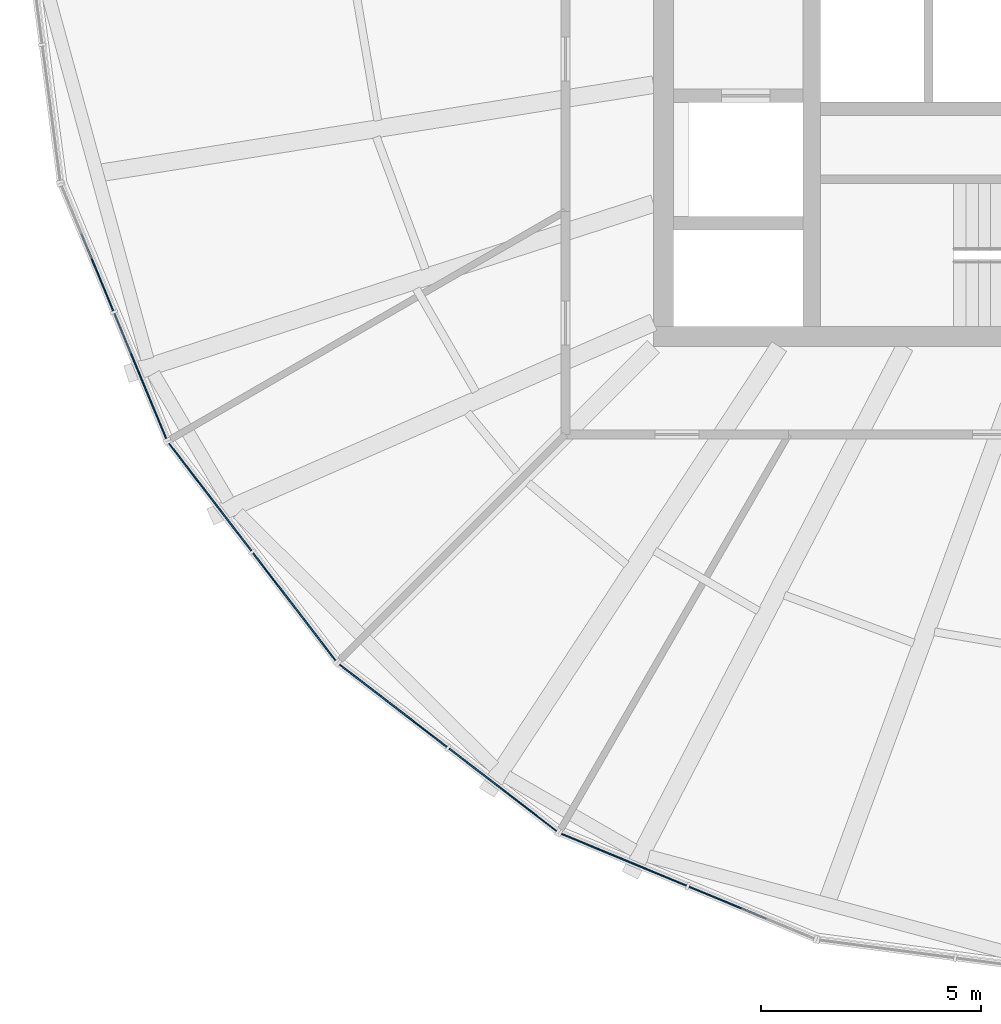
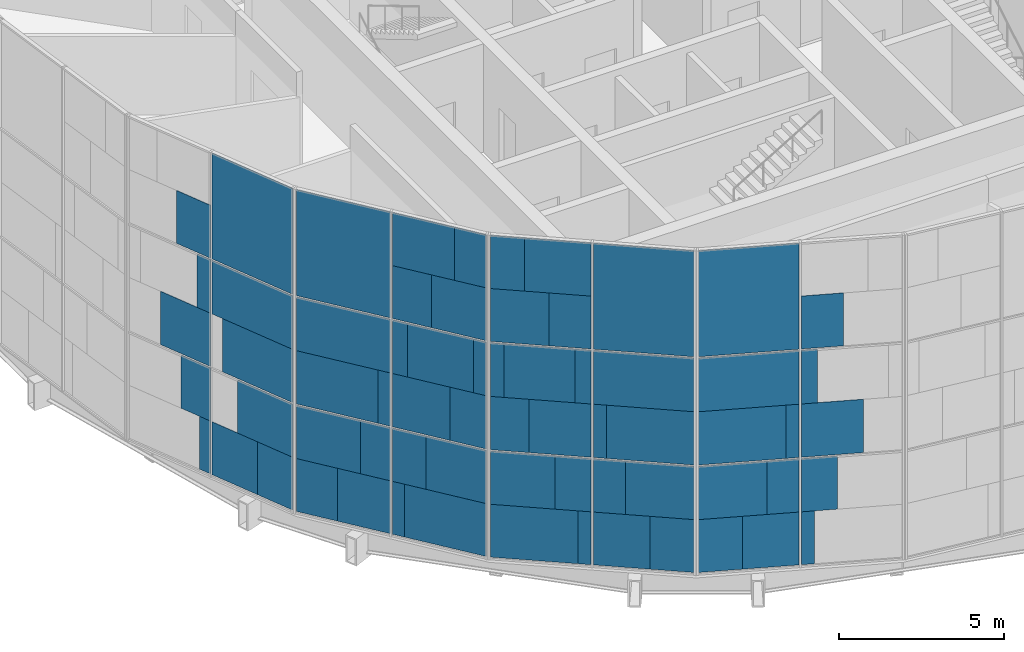
# One storey, part 9 of 22: 66 plates, 4 elements without a shape of their own.
"""IFC4 building model written with IfcOpenShell, lengths in metres."""

from ifc_helpers import new_model, si_unit, direction, frame, origin, origin_2d, place, context, subcontext, project, spatial, rectangle, extrude, material, layer, layer_set, type_object, element, aggregate, save


model = new_model("IFC4")

# Units and contexts
model_context = context("Model", 3, precision=1e-05, world=origin(), true_north=direction((0.0, 1.0)))
body_context = subcontext(model_context, "Body", "Model", "MODEL_VIEW")
ifc_project = project(units=[si_unit("LENGTHUNIT", "METRE"), si_unit("AREAUNIT", "SQUARE_METRE"), si_unit("VOLUMEUNIT", "CUBIC_METRE"), si_unit("PLANEANGLEUNIT", "RADIAN"), si_unit("MASSUNIT", "GRAM", prefix="KILO")], contexts=[model_context])

# Site, building, storey
site_placement = place(None, origin())
site = spatial("IfcSite", under=ifc_project, at=site_placement, CompositionType="ELEMENT")
building_placement = place(site_placement, origin())
building = spatial("IfcBuilding", under=site, at=building_placement, Name="Golbaran Civic Tower", CompositionType="ELEMENT")
storey_placement = place(building_placement, frame((0.0, 0.0, 155.0)))
storey = spatial("IfcBuildingStorey", under=building, at=storey_placement, Name="L37", CompositionType="ELEMENT", Elevation=155.0)

# Curtain wall, plates
ifc_material_1 = material(Name="Aluminium and glass", Category="aluminium")
curtain_wall_type = type_object("IfcCurtainWallType", Name="INNER SKIN CURTAIN WALL", PredefinedType="NOTDEFINED", material=ifc_material_1)
curtain_wall_1_placement = place(storey_placement, origin())
curtain_wall_1 = element("IfcCurtainWall", 1, at=curtain_wall_1_placement, inside=storey, type_object=curtain_wall_type, Name="Inner skin L37 facet 14 CW1", ObjectType="INNER SKIN", PredefinedType="USERDEFINED")
ifc_material_2 = material(Name="Clear insulating glass", Category="glass")
ifc_layer_1 = layer(ifc_material_2, 0.031982421875, Name="Clear insulating glass")
ifc_layer_set_1 = layer_set([ifc_layer_1], Name="Clear insulating glass")
plate_type_1 = type_object("IfcPlateType", Name="INNER SKIN CURTAIN WALL GLAZED PANEL", PredefinedType="CURTAIN_PANEL", material=ifc_layer_set_1)
plate_1_placement = place(storey_placement, frame((-22.367431640625, -8.9609375, 6.0), z_axis=(0.0, 0.0, 1.0), x_axis=(0.382683432268, -0.923879532551, 0.0)))
plate_1 = element("IfcPlate", 2, at=plate_1_placement, type_object=plate_type_1, Name="CW1 panel 1.2 part 5", PredefinedType="CURTAIN_PANEL", context=body_context, shape_type="SweptSolid", body=[
    extrude(rectangle(XDim=0.49658203125, YDim=0.031982421875, at=origin_2d()), origin(), (0.0, 0.0, 1.0), 1.967529296875),
])
plate_2_placement = place(storey_placement, frame((-22.517578125, -8.598388671875, 8.032470703125), z_axis=(0.0, 0.0, 1.0), x_axis=(0.382683432268, -0.923879532551, 0.0)))
plate_2 = element("IfcPlate", 3, at=plate_2_placement, type_object=plate_type_1, Name="CW1 panel 1.3 part 2", PredefinedType="CURTAIN_PANEL", context=body_context, shape_type="SweptSolid", body=[
    extrude(rectangle(XDim=1.281494140625, YDim=0.031982421875, at=origin_2d()), origin(), (0.0, 0.0, 1.0), 1.951171875),
])
plate_3_placement = place(storey_placement, frame((-21.328369140625, -11.4697265625, 0.06494140625), z_axis=(0.0, 0.0, 1.0), x_axis=(0.382683432268, -0.923879532551, 0.0)))
plate_3 = element("IfcPlate", 4, at=plate_3_placement, type_object=plate_type_1, Name="CW1 panel 2.1 part 2", PredefinedType="CURTAIN_PANEL", context=body_context, shape_type="SweptSolid", body=[
    extrude(rectangle(XDim=1.344482421875, YDim=0.031982421875, at=origin_2d()), origin(), (0.0, 0.0, 1.0), 1.951171875),
])
plate_4_placement = place(storey_placement, frame((-21.47265625, -11.12158203125, 2.016357421875), z_axis=(0.0, 0.0, 1.0), x_axis=(0.382683432268, -0.923879532551, 0.0)))
plate_4 = element("IfcPlate", 5, at=plate_4_placement, type_object=plate_type_1, Name="CW1 panel 2.1 part 4", PredefinedType="CURTAIN_PANEL", context=body_context, shape_type="SweptSolid", body=[
    extrude(rectangle(XDim=2.0986328125, YDim=0.031982421875, at=origin_2d()), origin(), (0.0, 0.0, 1.0), 1.951171875),
])
plate_5_placement = place(storey_placement, frame((-21.582763671875, -10.85546875, 4.03271484375), z_axis=(0.0, 0.0, 1.0), x_axis=(0.382683432268, -0.923879532551, 0.0)))
plate_5 = element("IfcPlate", 6, at=plate_5_placement, type_object=plate_type_1, Name="CW1 panel 2.2 part 2", PredefinedType="CURTAIN_PANEL", context=body_context, shape_type="SweptSolid", body=[
    extrude(rectangle(XDim=2.674560546875, YDim=0.031982421875, at=origin_2d()), origin(), (0.0, 0.0, 1.0), 1.967529296875),
])
plate_6_placement = place(storey_placement, frame((-21.659423828125, -10.670654296875, 6.0), z_axis=(0.0, 0.0, 1.0), x_axis=(0.382683432268, -0.923879532551, 0.0)))
plate_6 = element("IfcPlate", 7, at=plate_6_placement, type_object=plate_type_1, Name="CW1 panel 2.2 part 3", PredefinedType="CURTAIN_PANEL", context=body_context, shape_type="SweptSolid", body=[
    extrude(rectangle(XDim=3.074462890625, YDim=0.031982421875, at=origin_2d()), origin(), (0.0, 0.0, 1.0), 1.967529296875),
])
plate_7_placement = place(storey_placement, frame((-21.659423828125, -10.670654296875, 8.0322265625), z_axis=(0.0, 0.0, 1.0), x_axis=(0.382683432268, -0.923879532551, 0.0)))
plate_7 = element("IfcPlate", 8, at=plate_7_placement, type_object=plate_type_1, Name="CW1 panel 2.3", PredefinedType="CURTAIN_PANEL", context=body_context, shape_type="SweptSolid", body=[
    extrude(rectangle(XDim=3.074462890625, YDim=0.031982421875, at=origin_2d()), origin(), (0.0, 0.0, 1.0), 3.902587890625),
])

curtain_wall_2_placement = place(storey_placement, origin())
curtain_wall_2 = element("IfcCurtainWall", 9, at=curtain_wall_2_placement, inside=storey, type_object=curtain_wall_type, Name="Inner skin L37 facet 15 CW1", ObjectType="INNER SKIN", PredefinedType="USERDEFINED")
plate_8_placement = place(storey_placement, frame((-20.59716796875, -12.736083984375, 0.06494140625), z_axis=(0.0, 0.0, 1.0), x_axis=(0.608761429106, -0.793353340217, 0.0)))
plate_8 = element("IfcPlate", 10, at=plate_8_placement, type_object=plate_type_1, Name="CW1 panel 1.1 part 1", PredefinedType="CURTAIN_PANEL", context=body_context, shape_type="SweptSolid", body=[
    extrude(rectangle(XDim=1.344970703125, YDim=0.031982421875, at=origin_2d()), origin(), (0.0, 0.0, 1.0), 1.951171875),
])
plate_9_placement = place(storey_placement, frame((-20.367919921875, -13.034912109375, 2.016357421875), z_axis=(0.0, 0.0, 1.0), x_axis=(0.608761429106, -0.793353340217, 0.0)))
plate_9 = element("IfcPlate", 11, at=plate_9_placement, type_object=plate_type_1, Name="CW1 panel 1.1 part 3", PredefinedType="CURTAIN_PANEL", context=body_context, shape_type="SweptSolid", body=[
    extrude(rectangle(XDim=2.097900390625, YDim=0.031982421875, at=origin_2d()), origin(), (0.0, 0.0, 1.0), 1.951171875),
])
plate_10_placement = place(storey_placement, frame((-20.19287109375, -13.262939453125, 4.03271484375), z_axis=(0.0, 0.0, 1.0), x_axis=(0.608761429106, -0.793353340217, 0.0)))
plate_10 = element("IfcPlate", 12, at=plate_10_placement, type_object=plate_type_1, Name="CW1 panel 1.2 part 1", PredefinedType="CURTAIN_PANEL", context=body_context, shape_type="SweptSolid", body=[
    extrude(rectangle(XDim=2.673095703125, YDim=0.031982421875, at=origin_2d()), origin(), (0.0, 0.0, 1.0), 1.967529296875),
])
plate_11_placement = place(storey_placement, frame((-20.07080078125, -13.422119140625, 6.0), z_axis=(0.0, 0.0, 1.0), x_axis=(0.608761429106, -0.793353340217, 0.0)))
plate_11 = element("IfcPlate", 13, at=plate_11_placement, type_object=plate_type_1, Name="CW1 panel 1.2 part 3", PredefinedType="CURTAIN_PANEL", context=body_context, shape_type="SweptSolid", body=[
    extrude(rectangle(XDim=3.074462890625, YDim=0.031982421875, at=origin_2d()), origin(), (0.0, 0.0, 1.0), 1.967529296875),
])
plate_12_placement = place(storey_placement, frame((-20.07080078125, -13.422119140625, 8.0322265625), z_axis=(0.0, 0.0, 1.0), x_axis=(0.608761429106, -0.793353340217, 0.0)))
plate_12 = element("IfcPlate", 14, at=plate_12_placement, type_object=plate_type_1, Name="CW1 panel 1.3", PredefinedType="CURTAIN_PANEL", context=body_context, shape_type="SweptSolid", body=[
    extrude(rectangle(XDim=3.074462890625, YDim=0.031982421875, at=origin_2d()), origin(), (0.0, 0.0, 1.0), 3.902587890625),
])
plate_13_placement = place(storey_placement, frame((-18.037353515625, -16.072021484375, 0.06494140625), z_axis=(0.0, 0.0, 1.0), x_axis=(0.608761429106, -0.793353340217, 0.0)))
plate_13 = element("IfcPlate", 15, at=plate_13_placement, type_object=plate_type_1, Name="CW1 panel 2.1 part 2", PredefinedType="CURTAIN_PANEL", context=body_context, shape_type="SweptSolid", body=[
    extrude(rectangle(XDim=2.673583984375, YDim=0.031982421875, at=origin_2d()), origin(), (0.0, 0.0, 1.0), 1.951171875),
])
plate_14_placement = place(storey_placement, frame((-17.821533203125, -16.353271484375, 2.016357421875), z_axis=(0.0, 0.0, 1.0), x_axis=(0.608761429106, -0.793353340217, 0.0)))
plate_14 = element("IfcPlate", 16, at=plate_14_placement, type_object=plate_type_1, Name="CW1 panel 2.1 part 4", PredefinedType="CURTAIN_PANEL", context=body_context, shape_type="SweptSolid", body=[
    extrude(rectangle(XDim=1.964599609375, YDim=0.031982421875, at=origin_2d()), origin(), (0.0, 0.0, 1.0), 1.951171875),
])
plate_15_placement = place(storey_placement, frame((-17.582763671875, -16.66455078125, 4.03271484375), z_axis=(0.0, 0.0, 1.0), x_axis=(0.608761429106, -0.793353340217, 0.0)))
plate_15 = element("IfcPlate", 17, at=plate_15_placement, type_object=plate_type_1, Name="CW1 panel 2.2 part 2", PredefinedType="CURTAIN_PANEL", context=body_context, shape_type="SweptSolid", body=[
    extrude(rectangle(XDim=1.179443359375, YDim=0.031982421875, at=origin_2d()), origin(), (0.0, 0.0, 1.0), 1.967529296875),
])
plate_16_placement = place(storey_placement, frame((-18.944091796875, -14.890380859375, 6.0), z_axis=(0.0, 0.0, 1.0), x_axis=(0.608761429106, -0.793353340217, 0.0)))
plate_16 = element("IfcPlate", 18, at=plate_16_placement, type_object=plate_type_1, Name="CW1 panel 2.2 part 3", PredefinedType="CURTAIN_PANEL", context=body_context, shape_type="SweptSolid", body=[
    extrude(rectangle(XDim=0.4970703125, YDim=0.031982421875, at=origin_2d()), origin(), (0.0, 0.0, 1.0), 1.967529296875),
])
plate_17_placement = place(storey_placement, frame((-17.351318359375, -16.966064453125, 6.0), z_axis=(0.0, 0.0, 1.0), x_axis=(0.608761429106, -0.793353340217, 0.0)))
plate_17 = element("IfcPlate", 19, at=plate_17_placement, type_object=plate_type_1, Name="CW1 panel 2.2 part 5", PredefinedType="CURTAIN_PANEL", context=body_context, shape_type="SweptSolid", body=[
    extrude(rectangle(XDim=0.41943359375, YDim=0.031982421875, at=origin_2d()), origin(), (0.0, 0.0, 1.0), 1.967529296875),
])
plate_18_placement = place(storey_placement, frame((-18.705078125, -15.201904296875, 8.032470703125), z_axis=(0.0, 0.0, 1.0), x_axis=(0.608761429106, -0.793353340217, 0.0)))
plate_18 = element("IfcPlate", 20, at=plate_18_placement, type_object=plate_type_1, Name="CW1 panel 2.3 part 1", PredefinedType="CURTAIN_PANEL", context=body_context, shape_type="SweptSolid", body=[
    extrude(rectangle(XDim=1.281982421875, YDim=0.031982421875, at=origin_2d()), origin(), (0.0, 0.0, 1.0), 1.951171875),
])
plate_19_placement = place(storey_placement, frame((-18.475830078125, -15.50048828125, 9.98388671875), z_axis=(0.0, 0.0, 1.0), x_axis=(0.608761429106, -0.793353340217, 0.0)))
plate_19 = element("IfcPlate", 21, at=plate_19_placement, type_object=plate_type_1, Name="CW1 panel 2.3 part 3", PredefinedType="CURTAIN_PANEL", context=body_context, shape_type="SweptSolid", body=[
    extrude(rectangle(XDim=2.034912109375, YDim=0.031982421875, at=origin_2d()), origin(), (0.0, 0.0, 1.0), 1.951171875),
])

curtain_wall_3_placement = place(storey_placement, origin())
curtain_wall_3 = element("IfcCurtainWall", 22, at=curtain_wall_3_placement, inside=storey, type_object=curtain_wall_type, Name="Inner skin L37 facet 16 CW1", ObjectType="INNER SKIN", PredefinedType="USERDEFINED")
plate_20_placement = place(storey_placement, frame((-16.072265625, -18.037353515625, 0.06494140625), z_axis=(0.0, 0.0, 1.0), x_axis=(0.793353340217, -0.608761429106, 0.0)))
plate_20 = element("IfcPlate", 23, at=plate_20_placement, type_object=plate_type_1, Name="CW1 panel 1.1 part 1", PredefinedType="CURTAIN_PANEL", context=body_context, shape_type="SweptSolid", body=[
    extrude(rectangle(XDim=2.673095703125, YDim=0.031982421875, at=origin_2d()), origin(), (0.0, 0.0, 1.0), 1.951171875),
])
plate_21_placement = place(storey_placement, frame((-16.353515625, -17.821533203125, 2.016357421875), z_axis=(0.0, 0.0, 1.0), x_axis=(0.793353340217, -0.608761429106, 0.0)))
plate_21 = element("IfcPlate", 24, at=plate_21_placement, type_object=plate_type_1, Name="CW1 panel 1.1 part 3", PredefinedType="CURTAIN_PANEL", context=body_context, shape_type="SweptSolid", body=[
    extrude(rectangle(XDim=1.964111328125, YDim=0.031982421875, at=origin_2d()), origin(), (0.0, 0.0, 1.0), 1.951171875),
])
plate_22_placement = place(storey_placement, frame((-16.66455078125, -17.582763671875, 4.03271484375), z_axis=(0.0, 0.0, 1.0), x_axis=(0.793353340217, -0.608761429106, 0.0)))
plate_22 = element("IfcPlate", 25, at=plate_22_placement, type_object=plate_type_1, Name="CW1 panel 1.2 part 1", PredefinedType="CURTAIN_PANEL", context=body_context, shape_type="SweptSolid", body=[
    extrude(rectangle(XDim=1.179931640625, YDim=0.031982421875, at=origin_2d()), origin(), (0.0, 0.0, 1.0), 1.967529296875),
])
plate_23_placement = place(storey_placement, frame((-16.9658203125, -17.3515625, 6.0), z_axis=(0.0, 0.0, 1.0), x_axis=(0.793353340217, -0.608761429106, 0.0)))
plate_23 = element("IfcPlate", 26, at=plate_23_placement, type_object=plate_type_1, Name="CW1 panel 1.2 part 3", PredefinedType="CURTAIN_PANEL", context=body_context, shape_type="SweptSolid", body=[
    extrude(rectangle(XDim=0.419921875, YDim=0.031982421875, at=origin_2d()), origin(), (0.0, 0.0, 1.0), 1.967529296875),
])
plate_24_placement = place(storey_placement, frame((-14.890380859375, -18.944091796875, 6.0), z_axis=(0.0, 0.0, 1.0), x_axis=(0.793353340217, -0.608761429106, 0.0)))
plate_24 = element("IfcPlate", 27, at=plate_24_placement, type_object=plate_type_1, Name="CW1 panel 1.2 part 5", PredefinedType="CURTAIN_PANEL", context=body_context, shape_type="SweptSolid", body=[
    extrude(rectangle(XDim=0.49658203125, YDim=0.031982421875, at=origin_2d()), origin(), (0.0, 0.0, 1.0), 1.967529296875),
])
plate_25_placement = place(storey_placement, frame((-15.20166015625, -18.705322265625, 8.032470703125), z_axis=(0.0, 0.0, 1.0), x_axis=(0.793353340217, -0.608761429106, 0.0)))
plate_25 = element("IfcPlate", 28, at=plate_25_placement, type_object=plate_type_1, Name="CW1 panel 1.3 part 2", PredefinedType="CURTAIN_PANEL", context=body_context, shape_type="SweptSolid", body=[
    extrude(rectangle(XDim=1.281494140625, YDim=0.031982421875, at=origin_2d()), origin(), (0.0, 0.0, 1.0), 1.951171875),
])
plate_26_placement = place(storey_placement, frame((-15.500732421875, -18.475830078125, 9.98388671875), z_axis=(0.0, 0.0, 1.0), x_axis=(0.793353340217, -0.608761429106, 0.0)))
plate_26 = element("IfcPlate", 29, at=plate_26_placement, type_object=plate_type_1, Name="CW1 panel 1.3 part 4", PredefinedType="CURTAIN_PANEL", context=body_context, shape_type="SweptSolid", body=[
    extrude(rectangle(XDim=2.03564453125, YDim=0.031982421875, at=origin_2d()), origin(), (0.0, 0.0, 1.0), 1.951171875),
])
plate_27_placement = place(storey_placement, frame((-12.73583984375, -20.597412109375, 0.06494140625), z_axis=(0.0, 0.0, 1.0), x_axis=(0.793353340217, -0.608761429106, 0.0)))
plate_27 = element("IfcPlate", 30, at=plate_27_placement, type_object=plate_type_1, Name="CW1 panel 2.1 part 2", PredefinedType="CURTAIN_PANEL", context=body_context, shape_type="SweptSolid", body=[
    extrude(rectangle(XDim=1.344482421875, YDim=0.031982421875, at=origin_2d()), origin(), (0.0, 0.0, 1.0), 1.951171875),
])
plate_28_placement = place(storey_placement, frame((-13.034912109375, -20.367919921875, 2.016357421875), z_axis=(0.0, 0.0, 1.0), x_axis=(0.793353340217, -0.608761429106, 0.0)))
plate_28 = element("IfcPlate", 31, at=plate_28_placement, type_object=plate_type_1, Name="CW1 panel 2.1 part 4", PredefinedType="CURTAIN_PANEL", context=body_context, shape_type="SweptSolid", body=[
    extrude(rectangle(XDim=2.0986328125, YDim=0.031982421875, at=origin_2d()), origin(), (0.0, 0.0, 1.0), 1.951171875),
])
plate_29_placement = place(storey_placement, frame((-13.263427734375, -20.1923828125, 4.03271484375), z_axis=(0.0, 0.0, 1.0), x_axis=(0.793353340217, -0.608761429106, 0.0)))
plate_29 = element("IfcPlate", 32, at=plate_29_placement, type_object=plate_type_1, Name="CW1 panel 2.2 part 2", PredefinedType="CURTAIN_PANEL", context=body_context, shape_type="SweptSolid", body=[
    extrude(rectangle(XDim=2.674560546875, YDim=0.031982421875, at=origin_2d()), origin(), (0.0, 0.0, 1.0), 1.967529296875),
])
plate_30_placement = place(storey_placement, frame((-13.422119140625, -20.07080078125, 6.0), z_axis=(0.0, 0.0, 1.0), x_axis=(0.793353340217, -0.608761429106, 0.0)))
plate_30 = element("IfcPlate", 33, at=plate_30_placement, type_object=plate_type_1, Name="CW1 panel 2.2 part 3", PredefinedType="CURTAIN_PANEL", context=body_context, shape_type="SweptSolid", body=[
    extrude(rectangle(XDim=3.074462890625, YDim=0.031982421875, at=origin_2d()), origin(), (0.0, 0.0, 1.0), 1.967529296875),
])
plate_31_placement = place(storey_placement, frame((-13.422119140625, -20.07080078125, 8.0322265625), z_axis=(0.0, 0.0, 1.0), x_axis=(0.793353340217, -0.608761429106, 0.0)))
plate_31 = element("IfcPlate", 34, at=plate_31_placement, type_object=plate_type_1, Name="CW1 panel 2.3", PredefinedType="CURTAIN_PANEL", context=body_context, shape_type="SweptSolid", body=[
    extrude(rectangle(XDim=3.074462890625, YDim=0.031982421875, at=origin_2d()), origin(), (0.0, 0.0, 1.0), 3.902587890625),
])

curtain_wall_4_placement = place(storey_placement, origin())
curtain_wall_4 = element("IfcCurtainWall", 35, at=curtain_wall_4_placement, inside=storey, type_object=curtain_wall_type, Name="Inner skin L37 facet 17 CW1", ObjectType="INNER SKIN", PredefinedType="USERDEFINED")
plate_32_placement = place(storey_placement, frame((-11.4697265625, -21.328369140625, 0.06494140625), z_axis=(0.0, 0.0, 1.0), x_axis=(0.923879532551, -0.382683432268, 0.0)))
plate_32 = element("IfcPlate", 36, at=plate_32_placement, type_object=plate_type_1, Name="CW1 panel 1.1 part 1", PredefinedType="CURTAIN_PANEL", context=body_context, shape_type="SweptSolid", body=[
    extrude(rectangle(XDim=1.344970703125, YDim=0.031982421875, at=origin_2d()), origin(), (0.0, 0.0, 1.0), 1.951171875),
])
plate_33_placement = place(storey_placement, frame((-11.121826171875, -21.472412109375, 2.016357421875), z_axis=(0.0, 0.0, 1.0), x_axis=(0.923879532551, -0.382683432268, 0.0)))
plate_33 = element("IfcPlate", 37, at=plate_33_placement, type_object=plate_type_1, Name="CW1 panel 1.1 part 3", PredefinedType="CURTAIN_PANEL", context=body_context, shape_type="SweptSolid", body=[
    extrude(rectangle(XDim=2.097900390625, YDim=0.031982421875, at=origin_2d()), origin(), (0.0, 0.0, 1.0), 1.951171875),
])
plate_34_placement = place(storey_placement, frame((-10.856201171875, -21.58251953125, 4.03271484375), z_axis=(0.0, 0.0, 1.0), x_axis=(0.923879532551, -0.382683432268, 0.0)))
plate_34 = element("IfcPlate", 38, at=plate_34_placement, type_object=plate_type_1, Name="CW1 panel 1.2 part 1", PredefinedType="CURTAIN_PANEL", context=body_context, shape_type="SweptSolid", body=[
    extrude(rectangle(XDim=2.673095703125, YDim=0.031982421875, at=origin_2d()), origin(), (0.0, 0.0, 1.0), 1.967529296875),
])
plate_35_placement = place(storey_placement, frame((-10.670654296875, -21.659423828125, 6.0), z_axis=(0.0, 0.0, 1.0), x_axis=(0.923879532551, -0.382683432268, 0.0)))
plate_35 = element("IfcPlate", 39, at=plate_35_placement, type_object=plate_type_1, Name="CW1 panel 1.2 part 3", PredefinedType="CURTAIN_PANEL", context=body_context, shape_type="SweptSolid", body=[
    extrude(rectangle(XDim=3.074462890625, YDim=0.031982421875, at=origin_2d()), origin(), (0.0, 0.0, 1.0), 1.967529296875),
])
plate_36_placement = place(storey_placement, frame((-10.670654296875, -21.659423828125, 8.0322265625), z_axis=(0.0, 0.0, 1.0), x_axis=(0.923879532551, -0.382683432268, 0.0)))
plate_36 = element("IfcPlate", 40, at=plate_36_placement, type_object=plate_type_1, Name="CW1 panel 1.3", PredefinedType="CURTAIN_PANEL", context=body_context, shape_type="SweptSolid", body=[
    extrude(rectangle(XDim=3.074462890625, YDim=0.031982421875, at=origin_2d()), origin(), (0.0, 0.0, 1.0), 3.902587890625),
])
plate_37_placement = place(storey_placement, frame((-8.960693359375, -22.36767578125, 6.0), z_axis=(0.0, 0.0, 1.0), x_axis=(0.923879532551, -0.382683432268, 0.0)))
plate_37 = element("IfcPlate", 41, at=plate_37_placement, type_object=plate_type_1, Name="CW1 panel 2.2 part 3", PredefinedType="CURTAIN_PANEL", context=body_context, shape_type="SweptSolid", body=[
    extrude(rectangle(XDim=0.4970703125, YDim=0.031982421875, at=origin_2d()), origin(), (0.0, 0.0, 1.0), 1.967529296875),
])
plate_38_placement = place(storey_placement, frame((-8.59814453125, -22.517822265625, 8.032470703125), z_axis=(0.0, 0.0, 1.0), x_axis=(0.923879532551, -0.382683432268, 0.0)))
plate_38 = element("IfcPlate", 42, at=plate_38_placement, type_object=plate_type_1, Name="CW1 panel 2.3 part 1", PredefinedType="CURTAIN_PANEL", context=body_context, shape_type="SweptSolid", body=[
    extrude(rectangle(XDim=1.281982421875, YDim=0.031982421875, at=origin_2d()), origin(), (0.0, 0.0, 1.0), 1.951171875),
])

# Plate
ifc_material_3 = material(Name="Aluminium faced opaque infill panel", Category="aluminium")
ifc_layer_2 = layer(ifc_material_3, 0.031982421875, Name="Aluminium faced opaque infill panel")
ifc_layer_set_2 = layer_set([ifc_layer_2], Name="Aluminium faced opaque infill panel")
plate_type_2 = type_object("IfcPlateType", Name="INNER SKIN CURTAIN WALL OPAQUE INFILL PANEL", PredefinedType="CURTAIN_PANEL", material=ifc_layer_set_2)
plate_39_placement = place(storey_placement, frame((-22.349365234375, -9.0048828125, 0.06494140625), z_axis=(0.0, 0.0, 1.0), x_axis=(0.382683432268, -0.923879532551, 0.0)))
plate_39 = element("IfcPlate", 43, at=plate_39_placement, type_object=plate_type_2, Name="CW1 infill panel 1.1 part 2", PredefinedType="CURTAIN_PANEL", context=body_context, shape_type="SweptSolid", body=[
    extrude(rectangle(XDim=0.401611328125, YDim=0.031982421875, at=origin_2d()), origin(), (0.0, 0.0, 1.0), 1.951171875),
])

plate_40_placement = place(storey_placement, frame((-22.48486328125, -8.677490234375, 2.016357421875), z_axis=(0.0, 0.0, 1.0), x_axis=(0.382683432268, -0.923879532551, 0.0)))
plate_40 = element("IfcPlate", 44, at=plate_40_placement, type_object=plate_type_2, Name="CW1 infill panel 1.1 part 4", PredefinedType="CURTAIN_PANEL", context=body_context, shape_type="SweptSolid", body=[
    extrude(rectangle(XDim=1.110595703125, YDim=0.031982421875, at=origin_2d()), origin(), (0.0, 0.0, 1.0), 1.951171875),
])

plate_41_placement = place(storey_placement, frame((-22.635009765625, -8.315185546875, 4.03271484375), z_axis=(0.0, 0.0, 1.0), x_axis=(0.382683432268, -0.923879532551, 0.0)))
plate_41 = element("IfcPlate", 45, at=plate_41_placement, type_object=plate_type_2, Name="CW1 infill panel 1.2 part 2", PredefinedType="CURTAIN_PANEL", context=body_context, shape_type="SweptSolid", body=[
    extrude(rectangle(XDim=1.89453125, YDim=0.031982421875, at=origin_2d()), origin(), (0.0, 0.0, 1.0), 1.967529296875),
])

plate_42_placement = place(storey_placement, frame((-21.91650390625, -10.049560546875, 0.06494140625), z_axis=(0.0, 0.0, 1.0), x_axis=(0.382683432268, -0.923879532551, 0.0)))
plate_42 = element("IfcPlate", 46, at=plate_42_placement, type_object=plate_type_2, Name="CW1 infill panel 2.1 part 1", PredefinedType="CURTAIN_PANEL", context=body_context, shape_type="SweptSolid", body=[
    extrude(rectangle(XDim=1.72998046875, YDim=0.031982421875, at=origin_2d()), origin(), (0.0, 0.0, 1.0), 1.951171875),
])

aggregate(curtain_wall_1, [plate_39, plate_40, plate_41, plate_1, plate_2, plate_42, plate_3, plate_4, plate_5, plate_6, plate_7])

plate_43_placement = place(storey_placement, frame((-19.661376953125, -13.955810546875, 0.06494140625), z_axis=(0.0, 0.0, 1.0), x_axis=(0.608761429106, -0.793353340217, 0.0)))
plate_43 = element("IfcPlate", 47, at=plate_43_placement, type_object=plate_type_2, Name="CW1 infill panel 1.1 part 2", PredefinedType="CURTAIN_PANEL", context=body_context, shape_type="SweptSolid", body=[
    extrude(rectangle(XDim=1.7294921875, YDim=0.031982421875, at=origin_2d()), origin(), (0.0, 0.0, 1.0), 1.951171875),
])

plate_44_placement = place(storey_placement, frame((-19.43212890625, -14.25439453125, 2.016357421875), z_axis=(0.0, 0.0, 1.0), x_axis=(0.608761429106, -0.793353340217, 0.0)))
plate_44 = element("IfcPlate", 48, at=plate_44_placement, type_object=plate_type_2, Name="CW1 infill panel 1.1 part 4", PredefinedType="CURTAIN_PANEL", context=body_context, shape_type="SweptSolid", body=[
    extrude(rectangle(XDim=0.9765625, YDim=0.031982421875, at=origin_2d()), origin(), (0.0, 0.0, 1.0), 1.951171875),
])

plate_45_placement = place(storey_placement, frame((-19.257080078125, -14.482421875, 4.03271484375), z_axis=(0.0, 0.0, 1.0), x_axis=(0.608761429106, -0.793353340217, 0.0)))
plate_45 = element("IfcPlate", 49, at=plate_45_placement, type_object=plate_type_2, Name="CW1 infill panel 1.2 part 2", PredefinedType="CURTAIN_PANEL", context=body_context, shape_type="SweptSolid", body=[
    extrude(rectangle(XDim=0.401611328125, YDim=0.031982421875, at=origin_2d()), origin(), (0.0, 0.0, 1.0), 1.967529296875),
])

plate_46_placement = place(storey_placement, frame((-18.973388671875, -14.852294921875, 0.06494140625), z_axis=(0.0, 0.0, 1.0), x_axis=(0.608761429106, -0.793353340217, 0.0)))
plate_46 = element("IfcPlate", 50, at=plate_46_placement, type_object=plate_type_2, Name="CW1 infill panel 2.1 part 1", PredefinedType="CURTAIN_PANEL", context=body_context, shape_type="SweptSolid", body=[
    extrude(rectangle(XDim=0.40087890625, YDim=0.031982421875, at=origin_2d()), origin(), (0.0, 0.0, 1.0), 1.951171875),
])

plate_47_placement = place(storey_placement, frame((-18.757568359375, -15.133544921875, 2.016357421875), z_axis=(0.0, 0.0, 1.0), x_axis=(0.608761429106, -0.793353340217, 0.0)))
plate_47 = element("IfcPlate", 51, at=plate_47_placement, type_object=plate_type_2, Name="CW1 infill panel 2.1 part 3", PredefinedType="CURTAIN_PANEL", context=body_context, shape_type="SweptSolid", body=[
    extrude(rectangle(XDim=1.110107421875, YDim=0.031982421875, at=origin_2d()), origin(), (0.0, 0.0, 1.0), 1.951171875),
])

plate_48_placement = place(storey_placement, frame((-18.5185546875, -15.445068359375, 4.03271484375), z_axis=(0.0, 0.0, 1.0), x_axis=(0.608761429106, -0.793353340217, 0.0)))
plate_48 = element("IfcPlate", 52, at=plate_48_placement, type_object=plate_type_2, Name="CW1 infill panel 2.2 part 1", PredefinedType="CURTAIN_PANEL", context=body_context, shape_type="SweptSolid", body=[
    extrude(rectangle(XDim=1.89501953125, YDim=0.031982421875, at=origin_2d()), origin(), (0.0, 0.0, 1.0), 1.967529296875),
])

plate_49_placement = place(storey_placement, frame((-18.135986328125, -15.943603515625, 6.0), z_axis=(0.0, 0.0, 1.0), x_axis=(0.608761429106, -0.793353340217, 0.0)))
plate_49 = element("IfcPlate", 53, at=plate_49_placement, type_object=plate_type_2, Name="CW1 infill panel 2.2 part 4", PredefinedType="CURTAIN_PANEL", context=body_context, shape_type="SweptSolid", body=[
    extrude(rectangle(XDim=2.157958984375, YDim=0.031982421875, at=origin_2d()), origin(), (0.0, 0.0, 1.0), 1.967529296875),
])

plate_50_placement = place(storey_placement, frame((-17.769287109375, -16.42138671875, 8.032470703125), z_axis=(0.0, 0.0, 1.0), x_axis=(0.608761429106, -0.793353340217, 0.0)))
plate_50 = element("IfcPlate", 54, at=plate_50_placement, type_object=plate_type_2, Name="CW1 infill panel 2.3 part 2", PredefinedType="CURTAIN_PANEL", context=body_context, shape_type="SweptSolid", body=[
    extrude(rectangle(XDim=1.79248046875, YDim=0.031982421875, at=origin_2d()), origin(), (0.0, 0.0, 1.0), 1.951171875),
])

plate_51_placement = place(storey_placement, frame((-17.5400390625, -16.72021484375, 9.98388671875), z_axis=(0.0, 0.0, 1.0), x_axis=(0.608761429106, -0.793353340217, 0.0)))
plate_51 = element("IfcPlate", 55, at=plate_51_placement, type_object=plate_type_2, Name="CW1 infill panel 2.3 part 4", PredefinedType="CURTAIN_PANEL", context=body_context, shape_type="SweptSolid", body=[
    extrude(rectangle(XDim=1.03955078125, YDim=0.031982421875, at=origin_2d()), origin(), (0.0, 0.0, 1.0), 1.951171875),
])

aggregate(curtain_wall_2, [plate_8, plate_43, plate_9, plate_44, plate_10, plate_45, plate_11, plate_12, plate_46, plate_13, plate_47, plate_14, plate_48, plate_15, plate_16, plate_49, plate_17, plate_18, plate_50, plate_19, plate_51])

plate_52_placement = place(storey_placement, frame((-14.8525390625, -18.97314453125, 0.06494140625), z_axis=(0.0, 0.0, 1.0), x_axis=(0.793353340217, -0.608761429106, 0.0)))
plate_52 = element("IfcPlate", 56, at=plate_52_placement, type_object=plate_type_2, Name="CW1 infill panel 1.1 part 2", PredefinedType="CURTAIN_PANEL", context=body_context, shape_type="SweptSolid", body=[
    extrude(rectangle(XDim=0.401611328125, YDim=0.031982421875, at=origin_2d()), origin(), (0.0, 0.0, 1.0), 1.951171875),
])

plate_53_placement = place(storey_placement, frame((-15.1337890625, -18.75732421875, 2.016357421875), z_axis=(0.0, 0.0, 1.0), x_axis=(0.793353340217, -0.608761429106, 0.0)))
plate_53 = element("IfcPlate", 57, at=plate_53_placement, type_object=plate_type_2, Name="CW1 infill panel 1.1 part 4", PredefinedType="CURTAIN_PANEL", context=body_context, shape_type="SweptSolid", body=[
    extrude(rectangle(XDim=1.110595703125, YDim=0.031982421875, at=origin_2d()), origin(), (0.0, 0.0, 1.0), 1.951171875),
])

plate_54_placement = place(storey_placement, frame((-15.44482421875, -18.518798828125, 4.03271484375), z_axis=(0.0, 0.0, 1.0), x_axis=(0.793353340217, -0.608761429106, 0.0)))
plate_54 = element("IfcPlate", 58, at=plate_54_placement, type_object=plate_type_2, Name="CW1 infill panel 1.2 part 2", PredefinedType="CURTAIN_PANEL", context=body_context, shape_type="SweptSolid", body=[
    extrude(rectangle(XDim=1.89453125, YDim=0.031982421875, at=origin_2d()), origin(), (0.0, 0.0, 1.0), 1.967529296875),
])

plate_55_placement = place(storey_placement, frame((-15.943359375, -18.13623046875, 6.0), z_axis=(0.0, 0.0, 1.0), x_axis=(0.793353340217, -0.608761429106, 0.0)))
plate_55 = element("IfcPlate", 59, at=plate_55_placement, type_object=plate_type_2, Name="CW1 infill panel 1.2 part 4", PredefinedType="CURTAIN_PANEL", context=body_context, shape_type="SweptSolid", body=[
    extrude(rectangle(XDim=2.157958984375, YDim=0.031982421875, at=origin_2d()), origin(), (0.0, 0.0, 1.0), 1.967529296875),
])

plate_56_placement = place(storey_placement, frame((-16.42138671875, -17.76953125, 8.032470703125), z_axis=(0.0, 0.0, 1.0), x_axis=(0.793353340217, -0.608761429106, 0.0)))
plate_56 = element("IfcPlate", 60, at=plate_56_placement, type_object=plate_type_2, Name="CW1 infill panel 1.3 part 1", PredefinedType="CURTAIN_PANEL", context=body_context, shape_type="SweptSolid", body=[
    extrude(rectangle(XDim=1.79296875, YDim=0.031982421875, at=origin_2d()), origin(), (0.0, 0.0, 1.0), 1.951171875),
])

plate_57_placement = place(storey_placement, frame((-16.720458984375, -17.5400390625, 9.98388671875), z_axis=(0.0, 0.0, 1.0), x_axis=(0.793353340217, -0.608761429106, 0.0)))
plate_57 = element("IfcPlate", 61, at=plate_57_placement, type_object=plate_type_2, Name="CW1 infill panel 1.3 part 3", PredefinedType="CURTAIN_PANEL", context=body_context, shape_type="SweptSolid", body=[
    extrude(rectangle(XDim=1.0390625, YDim=0.031982421875, at=origin_2d()), origin(), (0.0, 0.0, 1.0), 1.951171875),
])

plate_58_placement = place(storey_placement, frame((-13.95556640625, -19.661376953125, 0.06494140625), z_axis=(0.0, 0.0, 1.0), x_axis=(0.793353340217, -0.608761429106, 0.0)))
plate_58 = element("IfcPlate", 62, at=plate_58_placement, type_object=plate_type_2, Name="CW1 infill panel 2.1 part 1", PredefinedType="CURTAIN_PANEL", context=body_context, shape_type="SweptSolid", body=[
    extrude(rectangle(XDim=1.72998046875, YDim=0.031982421875, at=origin_2d()), origin(), (0.0, 0.0, 1.0), 1.951171875),
])

plate_59_placement = place(storey_placement, frame((-14.254638671875, -19.431884765625, 2.016357421875), z_axis=(0.0, 0.0, 1.0), x_axis=(0.793353340217, -0.608761429106, 0.0)))
plate_59 = element("IfcPlate", 63, at=plate_59_placement, type_object=plate_type_2, Name="CW1 infill panel 2.1 part 3", PredefinedType="CURTAIN_PANEL", context=body_context, shape_type="SweptSolid", body=[
    extrude(rectangle(XDim=0.97607421875, YDim=0.031982421875, at=origin_2d()), origin(), (0.0, 0.0, 1.0), 1.951171875),
])

plate_60_placement = place(storey_placement, frame((-14.483154296875, -19.256591796875, 4.03271484375), z_axis=(0.0, 0.0, 1.0), x_axis=(0.793353340217, -0.608761429106, 0.0)))
plate_60 = element("IfcPlate", 64, at=plate_60_placement, type_object=plate_type_2, Name="CW1 infill panel 2.2 part 1", PredefinedType="CURTAIN_PANEL", context=body_context, shape_type="SweptSolid", body=[
    extrude(rectangle(XDim=0.39990234375, YDim=0.031982421875, at=origin_2d()), origin(), (0.0, 0.0, 1.0), 1.967529296875),
])

aggregate(curtain_wall_3, [plate_20, plate_52, plate_21, plate_53, plate_22, plate_54, plate_23, plate_55, plate_24, plate_56, plate_25, plate_57, plate_26, plate_58, plate_27, plate_59, plate_28, plate_60, plate_29, plate_30, plate_31])

plate_61_placement = place(storey_placement, frame((-10.04931640625, -21.916748046875, 0.06494140625), z_axis=(0.0, 0.0, 1.0), x_axis=(0.923879532551, -0.382683432268, 0.0)))
plate_61 = element("IfcPlate", 65, at=plate_61_placement, type_object=plate_type_2, Name="CW1 infill panel 1.1 part 2", PredefinedType="CURTAIN_PANEL", context=body_context, shape_type="SweptSolid", body=[
    extrude(rectangle(XDim=1.7294921875, YDim=0.031982421875, at=origin_2d()), origin(), (0.0, 0.0, 1.0), 1.951171875),
])

plate_62_placement = place(storey_placement, frame((-9.70166015625, -22.060791015625, 2.016357421875), z_axis=(0.0, 0.0, 1.0), x_axis=(0.923879532551, -0.382683432268, 0.0)))
plate_62 = element("IfcPlate", 66, at=plate_62_placement, type_object=plate_type_2, Name="CW1 infill panel 1.1 part 4", PredefinedType="CURTAIN_PANEL", context=body_context, shape_type="SweptSolid", body=[
    extrude(rectangle(XDim=0.9765625, YDim=0.031982421875, at=origin_2d()), origin(), (0.0, 0.0, 1.0), 1.951171875),
])

plate_63_placement = place(storey_placement, frame((-9.43603515625, -22.170654296875, 4.03271484375), z_axis=(0.0, 0.0, 1.0), x_axis=(0.923879532551, -0.382683432268, 0.0)))
plate_63 = element("IfcPlate", 67, at=plate_63_placement, type_object=plate_type_2, Name="CW1 infill panel 1.2 part 2", PredefinedType="CURTAIN_PANEL", context=body_context, shape_type="SweptSolid", body=[
    extrude(rectangle(XDim=0.401611328125, YDim=0.031982421875, at=origin_2d()), origin(), (0.0, 0.0, 1.0), 1.967529296875),
])

plate_64_placement = place(storey_placement, frame((-9.005126953125, -22.34912109375, 0.06494140625), z_axis=(0.0, 0.0, 1.0), x_axis=(0.923879532551, -0.382683432268, 0.0)))
plate_64 = element("IfcPlate", 68, at=plate_64_placement, type_object=plate_type_2, Name="CW1 infill panel 2.1 part 1", PredefinedType="CURTAIN_PANEL", context=body_context, shape_type="SweptSolid", body=[
    extrude(rectangle(XDim=0.40087890625, YDim=0.031982421875, at=origin_2d()), origin(), (0.0, 0.0, 1.0), 1.951171875),
])

plate_65_placement = place(storey_placement, frame((-8.677734375, -22.48486328125, 2.016357421875), z_axis=(0.0, 0.0, 1.0), x_axis=(0.923879532551, -0.382683432268, 0.0)))
plate_65 = element("IfcPlate", 69, at=plate_65_placement, type_object=plate_type_2, Name="CW1 infill panel 2.1 part 3", PredefinedType="CURTAIN_PANEL", context=body_context, shape_type="SweptSolid", body=[
    extrude(rectangle(XDim=1.110107421875, YDim=0.031982421875, at=origin_2d()), origin(), (0.0, 0.0, 1.0), 1.951171875),
])

plate_66_placement = place(storey_placement, frame((-8.31494140625, -22.635009765625, 4.03271484375), z_axis=(0.0, 0.0, 1.0), x_axis=(0.923879532551, -0.382683432268, 0.0)))
plate_66 = element("IfcPlate", 70, at=plate_66_placement, type_object=plate_type_2, Name="CW1 infill panel 2.2 part 1", PredefinedType="CURTAIN_PANEL", context=body_context, shape_type="SweptSolid", body=[
    extrude(rectangle(XDim=1.89501953125, YDim=0.031982421875, at=origin_2d()), origin(), (0.0, 0.0, 1.0), 1.967529296875),
])

aggregate(curtain_wall_4, [plate_32, plate_61, plate_33, plate_62, plate_34, plate_63, plate_35, plate_36, plate_64, plate_65, plate_66, plate_37, plate_38])

save(model, "model.ifc")
